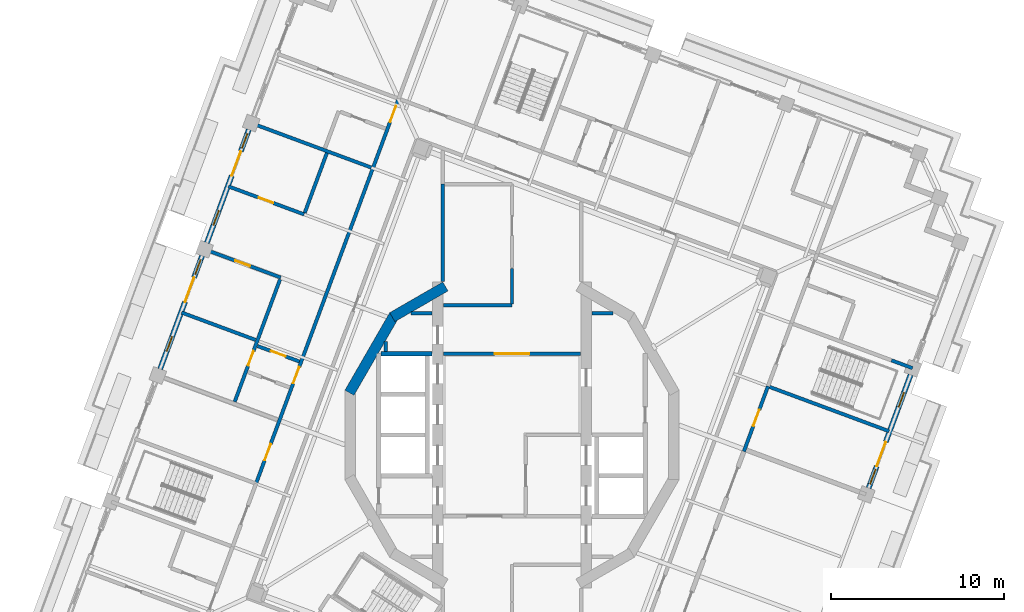
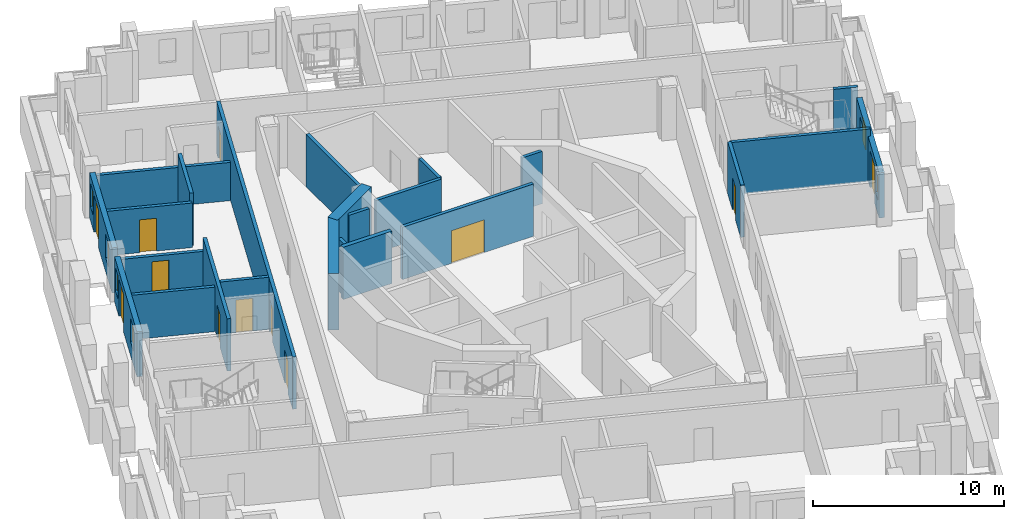
# One storey, part 7 of 19: 24 walls, 12 doors, 6 windows, 18 openings.
"""IFC4 building model written with IfcOpenShell, lengths in metres."""

from ifc_helpers import new_model, si_unit, direction, frame, frame_2d, origin, place, context, subcontext, project, spatial, rectangle, extrude, material, layer, layer_set, type_object, element, fill, save


model = new_model("IFC4")

# Units and contexts
model_context = context("Model", 3, precision=1e-05, world=origin(), true_north=direction((0.0, 1.0)))
body_context = subcontext(model_context, "Body", "Model", "MODEL_VIEW")
ifc_project = project(units=[si_unit("LENGTHUNIT", "METRE"), si_unit("AREAUNIT", "SQUARE_METRE"), si_unit("VOLUMEUNIT", "CUBIC_METRE"), si_unit("PLANEANGLEUNIT", "RADIAN"), si_unit("MASSUNIT", "GRAM", prefix="KILO")], contexts=[model_context])

# Site, building, storey
site_placement = place(None, origin())
site = spatial("IfcSite", under=ifc_project, at=site_placement, CompositionType="ELEMENT")
building_placement = place(site_placement, origin())
building = spatial("IfcBuilding", under=site, at=building_placement, Name="Cantera Rosa Tower", CompositionType="ELEMENT")
storey_placement = place(building_placement, frame((0.0, 0.0, 327.699951171875)))
storey = spatial("IfcBuildingStorey", under=building, at=storey_placement, Name="L73", CompositionType="ELEMENT", Elevation=327.699951171875)

# Wall, openings, doors
ifc_material_1 = material(Name="Gypsum board partition")
ifc_layer_1 = layer(ifc_material_1, 0.199951171875)
ifc_layer_set_1 = layer_set([ifc_layer_1], Name="CORRIDOR WALL 200 H3350")
wall_type_1 = type_object("IfcWallType", Name="CORRIDOR WALL 200 H3350", PredefinedType="PARTITIONING", material=ifc_layer_set_1)
wall_1_placement = place(storey_placement, frame((-6.5537109375, 19.438720703125, 0.0), z_axis=(0.0, 0.0, 1.0), x_axis=(-0.347483565428, -0.937686073138, 0.0)))
wall_1 = element("IfcWall", 1, at=wall_1_placement, inside=storey, type_object=wall_type_1, Name="CORRIDOR WALL L73-036", PredefinedType="PARTITIONING", context=body_context, shape_type="SweptSolid", body=[
    extrude(rectangle(XDim=23.730224609375, YDim=0.199951171875, at=frame_2d((11.865234375, 0.0))), origin(), (0.0, 0.0, 1.0), 3.35009765625),
])
opening_1_placement = place(wall_1_placement, frame((16.5400390625, 0.0, 0.0)))
opening_1 = element("IfcOpeningElement", 2, at=opening_1_placement, cuts=wall_1, Name="Opening L73-028", PredefinedType="OPENING", context=body_context, shape_type="SweptSolid", body=[
    extrude(rectangle(XDim=1.0, YDim=2.10009765625, at=frame_2d((0.5, 1.050048828125))), frame((0.0, 0.10986328125, 0.0), z_axis=(0.0, -1.0, 0.0), x_axis=(1.0, 0.0, 0.0)), (0.0, 0.0, 1.0), 0.219970703125),
])
opening_2_placement = place(wall_1_placement, frame((21.284912109375, 0.0, 0.0)))
opening_2 = element("IfcOpeningElement", 3, at=opening_2_placement, cuts=wall_1, Name="Opening L73-034", PredefinedType="OPENING", context=body_context, shape_type="SweptSolid", body=[
    extrude(rectangle(XDim=1.0, YDim=2.10009765625, at=frame_2d((0.5, 1.050048828125))), frame((0.0, 0.10986328125, 0.0), z_axis=(0.0, -1.0, 0.0), x_axis=(1.0, 0.0, 0.0)), (0.0, 0.0, 1.0), 0.219970703125),
])
opening_3_placement = place(wall_1_placement, frame((0.43994140625, 0.0, 0.0)))
opening_3 = element("IfcOpeningElement", 4, at=opening_3_placement, cuts=wall_1, Name="Opening L73-035", PredefinedType="OPENING", context=body_context, shape_type="SweptSolid", body=[
    extrude(rectangle(XDim=1.0, YDim=2.10009765625, at=frame_2d((0.5, 1.050048828125))), frame((0.0, 0.10986328125, 0.0), z_axis=(0.0, -1.0, 0.0), x_axis=(1.0, 0.0, 0.0)), (0.0, 0.0, 1.0), 0.219970703125),
])
ifc_material_2 = material(Name="Timber door leaf", Category="wood")
door_type_1 = type_object("IfcDoorType", Name="ENTRANCE DOOR 1000x2100", OperationType="NOTDEFINED", PredefinedType="DOOR", material=ifc_material_2)
door_1_placement = place(opening_1_placement, origin())
door_1 = element("IfcDoor", 5, at=door_1_placement, inside=storey, type_object=door_type_1, Name="DOOR L73-028", OperationType="NOTDEFINED", OverallHeight=2.10009765625, OverallWidth=1.0, PredefinedType="DOOR", context=body_context, shape_type="SweptSolid", body=[
    extrude(rectangle(XDim=1.0, YDim=2.10009765625, at=frame_2d((0.5, 1.050048828125))), frame((0.0, 0.02490234375, 0.0), z_axis=(0.0, -1.0, 0.0), x_axis=(1.0, 0.0, 0.0)), (0.0, 0.0, 1.0), 0.050048828125),
])
fill(opening_1, door_1)
door_2_placement = place(opening_3_placement, origin())
door_2 = element("IfcDoor", 6, at=door_2_placement, inside=storey, type_object=door_type_1, Name="DOOR L73-035", OperationType="NOTDEFINED", OverallHeight=2.10009765625, OverallWidth=1.0, PredefinedType="DOOR", context=body_context, shape_type="SweptSolid", body=[
    extrude(rectangle(XDim=1.0, YDim=2.10009765625, at=frame_2d((0.5, 1.050048828125))), frame((0.0, 0.02490234375, 0.0), z_axis=(0.0, -1.0, 0.0), x_axis=(1.0, 0.0, 0.0)), (0.0, 0.0, 1.0), 0.050048828125),
])
fill(opening_3, door_2)
ifc_material_3 = material(Name="Timber door leaf", Category="wood")
door_type_2 = type_object("IfcDoorType", Name="ROOM DOOR 1000x2100", OperationType="NOTDEFINED", PredefinedType="DOOR", material=ifc_material_3)
door_3_placement = place(opening_2_placement, origin())
door_3 = element("IfcDoor", 7, at=door_3_placement, inside=storey, type_object=door_type_2, Name="DOOR L73-034", OperationType="NOTDEFINED", OverallHeight=2.10009765625, OverallWidth=1.0, PredefinedType="DOOR", context=body_context, shape_type="SweptSolid", body=[
    extrude(rectangle(XDim=1.0, YDim=2.10009765625, at=frame_2d((0.5, 1.050048828125))), frame((0.0, 0.02490234375, 0.0), z_axis=(0.0, -1.0, 0.0), x_axis=(1.0, 0.0, 0.0)), (0.0, 0.0, 1.0), 0.050048828125),
])
fill(opening_2, door_3)

# Wall, opening, door
wall_2_placement = place(storey_placement, frame((-3.969970703125, 4.699951171875, 0.0), z_axis=(0.0, 0.0, 1.0), x_axis=(1.0, 0.0, 0.0)))
wall_2 = element("IfcWall", 8, at=wall_2_placement, inside=storey, type_object=wall_type_1, Name="CORRIDOR WALL L73-055", PredefinedType="PARTITIONING", context=body_context, shape_type="SweptSolid", body=[
    extrude(rectangle(XDim=7.93994140625, YDim=0.199951171875, at=frame_2d((3.969970703125, 0.0))), origin(), (0.0, 0.0, 1.0), 3.35009765625),
])
opening_4_placement = place(wall_2_placement, frame((2.969970703125, 0.0, 0.0)))
opening_4 = element("IfcOpeningElement", 9, at=opening_4_placement, cuts=wall_2, Name="Opening L73-010", PredefinedType="OPENING", context=body_context, shape_type="SweptSolid", body=[
    extrude(rectangle(XDim=2.0, YDim=2.10009765625, at=frame_2d((1.0, 1.050048828125))), frame((0.0, 0.10986328125, 0.0), z_axis=(0.0, -1.0, 0.0), x_axis=(1.0, 0.0, 0.0)), (0.0, 0.0, 1.0), 0.219970703125),
])
ifc_material_4 = material(Name="Steel S355J2 (EN 10025-2)", Category="steel")
door_type_3 = type_object("IfcDoorType", Name="LOBBY SCREEN DOOR 2000x2100", OperationType="NOTDEFINED", PredefinedType="DOOR", material=ifc_material_4)
door_4_placement = place(opening_4_placement, origin())
door_4 = element("IfcDoor", 10, at=door_4_placement, inside=storey, type_object=door_type_3, Name="DOOR L73-010", OperationType="NOTDEFINED", OverallHeight=2.10009765625, OverallWidth=2.0, PredefinedType="DOOR", context=body_context, shape_type="SweptSolid", body=[
    extrude(rectangle(XDim=2.0, YDim=2.10009765625, at=frame_2d((1.0, 1.050048828125))), frame((0.0, 0.02490234375, 0.0), z_axis=(0.0, -1.0, 0.0), x_axis=(1.0, 0.0, 0.0)), (0.0, 0.0, 1.0), 0.050048828125),
])
fill(opening_4, door_4)

# Walls
wall_3_placement = place(storey_placement, frame((-3.969970703125, 7.5, 0.0), z_axis=(0.0, 0.0, 1.0), x_axis=(1.0, 0.0, 0.0)))
element("IfcWall", 11, at=wall_3_placement, inside=storey, type_object=wall_type_1, Name="CORRIDOR WALL L73-056", PredefinedType="PARTITIONING", context=body_context, shape_type="SweptSolid", body=[
    extrude(rectangle(XDim=3.969970703125, YDim=0.199951171875, at=frame_2d((1.98486328125, 0.0))), origin(), (0.0, 0.0, 1.0), 3.35009765625),
])
wall_4_placement = place(storey_placement, frame((0.0, 7.580078125, 0.0), z_axis=(0.0, 0.0, 1.0), x_axis=(0.0, 1.0, 0.0)))
element("IfcWall", 12, at=wall_4_placement, inside=storey, type_object=wall_type_1, Name="CORRIDOR WALL L73-065", PredefinedType="PARTITIONING", context=body_context, shape_type="SweptSolid", body=[
    extrude(rectangle(XDim=2.04931640625, YDim=0.199951171875, at=frame_2d((1.024658203125, 0.0))), origin(), (0.0, 0.0, 1.0), 3.35009765625),
])

# Wall, opening, door
wall_5_placement = place(storey_placement, frame((13.404296875, -0.9521484375, 0.0), z_axis=(0.0, 0.0, 1.0), x_axis=(0.347502485966, 0.937679061432, 0.0)))
wall_5 = element("IfcWall", 13, at=wall_5_placement, inside=storey, type_object=wall_type_1, Name="CORRIDOR WALL L73-091", PredefinedType="PARTITIONING", context=body_context, shape_type="SweptSolid", body=[
    extrude(rectangle(XDim=4.01513671875, YDim=0.199951171875, at=frame_2d((2.007568359375, 0.0))), origin(), (0.0, 0.0, 1.0), 3.35009765625),
])
opening_5_placement = place(wall_5_placement, frame((1.570068359375, 0.0, 0.0)))
opening_5 = element("IfcOpeningElement", 14, at=opening_5_placement, cuts=wall_5, Name="Opening L73-045", PredefinedType="OPENING", context=body_context, shape_type="SweptSolid", body=[
    extrude(rectangle(XDim=1.0, YDim=2.10009765625, at=frame_2d((0.5, 1.050048828125))), frame((0.0, 0.10986328125, 0.0), z_axis=(0.0, -1.0, 0.0), x_axis=(1.0, 0.0, 0.0)), (0.0, 0.0, 1.0), 0.219970703125),
])
door_5_placement = place(opening_5_placement, origin())
door_5 = element("IfcDoor", 15, at=door_5_placement, inside=storey, type_object=door_type_2, Name="DOOR L73-045", OperationType="NOTDEFINED", OverallHeight=2.10009765625, OverallWidth=1.0, PredefinedType="DOOR", context=body_context, shape_type="SweptSolid", body=[
    extrude(rectangle(XDim=1.0, YDim=2.10009765625, at=frame_2d((0.5, 1.050048828125))), frame((0.0, 0.02490234375, 0.0), z_axis=(0.0, -1.0, 0.0), x_axis=(1.0, 0.0, 0.0)), (0.0, 0.0, 1.0), 0.050048828125),
])
fill(opening_5, door_5)

# Wall, openings, windows, door
ifc_material_5 = material(Name="Hollow clay masonry with cantera stone cladding", Category="masonry")
ifc_layer_2 = layer(ifc_material_5, 0.300048828125)
ifc_layer_set_2 = layer_set([ifc_layer_2], Name="EW-LOGGIA 300 H2890")
wall_type_2 = type_object("IfcWallType", Name="EW-LOGGIA 300 H2890", PredefinedType="SOLIDWALL", material=ifc_layer_set_2)
wall_6_placement = place(storey_placement, frame((-15.212646484375, 17.65625, 0.0), z_axis=(0.0, 0.0, 1.0), x_axis=(-0.347502316452, -0.937679124253, 0.0)))
wall_6 = element("IfcWall", 16, at=wall_6_placement, inside=storey, type_object=wall_type_2, Name="EN-L73-W08", PredefinedType="SOLIDWALL", context=body_context, shape_type="SweptSolid", body=[
    extrude(rectangle(XDim=6.97998046875, YDim=0.300048828125, at=frame_2d((3.489990234375, 0.0))), origin(), (0.0, 0.0, 1.0), 2.89013671875),
])
opening_6_placement = place(wall_6_placement, frame((0.2451171875, 0.0, 0.89990234375)))
opening_6 = element("IfcOpeningElement", 17, at=opening_6_placement, cuts=wall_6, Name="Opening L73-W16", PredefinedType="OPENING", context=body_context, shape_type="SweptSolid", body=[
    extrude(rectangle(XDim=0.89990234375, YDim=1.5, at=frame_2d((0.449951171875, 0.75))), frame((0.0, 0.159912109375, 0.0), z_axis=(0.0, -1.0, 0.0), x_axis=(1.0, 0.0, 0.0)), (0.0, 0.0, 1.0), 0.320068359375),
])
opening_7_placement = place(wall_6_placement, frame((1.344970703125, 0.0, 0.0)))
opening_7 = element("IfcOpeningElement", 18, at=opening_7_placement, cuts=wall_6, Name="Opening L73-TD17", PredefinedType="OPENING", context=body_context, shape_type="SweptSolid", body=[
    extrude(rectangle(XDim=1.5, YDim=2.39990234375, at=frame_2d((0.75, 1.199951171875))), frame((0.0, 0.159912109375, 0.0), z_axis=(0.0, -1.0, 0.0), x_axis=(1.0, 0.0, 0.0)), (0.0, 0.0, 1.0), 0.320068359375),
])
opening_8_placement = place(wall_6_placement, frame((4.985107421875, 0.0, 0.89990234375)))
opening_8 = element("IfcOpeningElement", 19, at=opening_8_placement, cuts=wall_6, Name="Opening L73-W18", PredefinedType="OPENING", context=body_context, shape_type="SweptSolid", body=[
    extrude(rectangle(XDim=0.89990234375, YDim=1.5, at=frame_2d((0.449951171875, 0.75))), frame((0.0, 0.159912109375, 0.0), z_axis=(0.0, -1.0, 0.0), x_axis=(1.0, 0.0, 0.0)), (0.0, 0.0, 1.0), 0.320068359375),
])
ifc_material_6 = material(Name="Aluminium frame with clear glass", Category="aluminium")
window_type = type_object("IfcWindowType", Name="Residential window 900x1500", PartitioningType="SINGLE_PANEL", PredefinedType="WINDOW", material=ifc_material_6)
window_1_placement = place(opening_6_placement, origin())
window_1 = element("IfcWindow", 20, at=window_1_placement, inside=storey, type_object=window_type, Name="WINDOW L73-W16", OverallHeight=1.5, OverallWidth=0.89990234375, PartitioningType="SINGLE_PANEL", PredefinedType="WINDOW", context=body_context, shape_type="SweptSolid", body=[
    extrude(rectangle(XDim=0.89990234375, YDim=1.5, at=frame_2d((0.449951171875, 0.75))), frame((0.0, 0.030029296875, 0.0), z_axis=(0.0, -1.0, 0.0), x_axis=(1.0, 0.0, 0.0)), (0.0, 0.0, 1.0), 0.06005859375),
])
fill(opening_6, window_1)
window_2_placement = place(opening_8_placement, origin())
window_2 = element("IfcWindow", 21, at=window_2_placement, inside=storey, type_object=window_type, Name="WINDOW L73-W18", OverallHeight=1.5, OverallWidth=0.89990234375, PartitioningType="SINGLE_PANEL", PredefinedType="WINDOW", context=body_context, shape_type="SweptSolid", body=[
    extrude(rectangle(XDim=0.89990234375, YDim=1.5, at=frame_2d((0.449951171875, 0.75))), frame((0.0, 0.030029296875, 0.0), z_axis=(0.0, -1.0, 0.0), x_axis=(1.0, 0.0, 0.0)), (0.0, 0.0, 1.0), 0.06005859375),
])
fill(opening_8, window_2)
ifc_material_7 = material(Name="Aluminium frame with clear glass", Category="aluminium")
door_type_4 = type_object("IfcDoorType", Name="TD-R 1500x2400", OperationType="NOTDEFINED", PredefinedType="DOOR", material=ifc_material_7)
door_6_placement = place(opening_7_placement, origin())
door_6 = element("IfcDoor", 22, at=door_6_placement, inside=storey, type_object=door_type_4, Name="LOGGIA DOOR L73-TD17", OperationType="SLIDING_TO_LEFT", OverallHeight=2.39990234375, OverallWidth=1.5, PredefinedType="DOOR", context=body_context, shape_type="SweptSolid", body=[
    extrude(rectangle(XDim=1.5, YDim=2.39990234375, at=frame_2d((0.75, 1.199951171875))), frame((0.0, 0.02490234375, 0.0), z_axis=(0.0, -1.0, 0.0), x_axis=(1.0, 0.0, 0.0)), (0.0, 0.0, 1.0), 0.050048828125),
])
fill(opening_7, door_6)

wall_7_placement = place(storey_placement, frame((-17.916015625, 10.361083984375, 0.0), z_axis=(0.0, 0.0, 1.0), x_axis=(-0.347502316452, -0.937679124253, 0.0)))
wall_7 = element("IfcWall", 23, at=wall_7_placement, inside=storey, type_object=wall_type_2, Name="EN-L73-W09", PredefinedType="SOLIDWALL", context=body_context, shape_type="SweptSolid", body=[
    extrude(rectangle(XDim=6.97998046875, YDim=0.300048828125, at=frame_2d((3.489990234375, 0.0))), origin(), (0.0, 0.0, 1.0), 2.89013671875),
])
opening_9_placement = place(wall_7_placement, frame((0.2451171875, 0.0, 0.89990234375)))
opening_9 = element("IfcOpeningElement", 24, at=opening_9_placement, cuts=wall_7, Name="Opening L73-W19", PredefinedType="OPENING", context=body_context, shape_type="SweptSolid", body=[
    extrude(rectangle(XDim=0.89990234375, YDim=1.5, at=frame_2d((0.449951171875, 0.75))), frame((0.0, 0.159912109375, 0.0), z_axis=(0.0, -1.0, 0.0), x_axis=(1.0, 0.0, 0.0)), (0.0, 0.0, 1.0), 0.320068359375),
])
opening_10_placement = place(wall_7_placement, frame((1.344970703125, 0.0, 0.0)))
opening_10 = element("IfcOpeningElement", 25, at=opening_10_placement, cuts=wall_7, Name="Opening L73-TD20", PredefinedType="OPENING", context=body_context, shape_type="SweptSolid", body=[
    extrude(rectangle(XDim=1.5, YDim=2.39990234375, at=frame_2d((0.75, 1.199951171875))), frame((0.0, 0.159912109375, 0.0), z_axis=(0.0, -1.0, 0.0), x_axis=(1.0, 0.0, 0.0)), (0.0, 0.0, 1.0), 0.320068359375),
])
opening_11_placement = place(wall_7_placement, frame((4.985107421875, 0.0, 0.89990234375)))
opening_11 = element("IfcOpeningElement", 26, at=opening_11_placement, cuts=wall_7, Name="Opening L73-W21", PredefinedType="OPENING", context=body_context, shape_type="SweptSolid", body=[
    extrude(rectangle(XDim=0.89990234375, YDim=1.5, at=frame_2d((0.449951171875, 0.75))), frame((0.0, 0.159912109375, 0.0), z_axis=(0.0, -1.0, 0.0), x_axis=(1.0, 0.0, 0.0)), (0.0, 0.0, 1.0), 0.320068359375),
])
window_3_placement = place(opening_9_placement, origin())
window_3 = element("IfcWindow", 27, at=window_3_placement, inside=storey, type_object=window_type, Name="WINDOW L73-W19", OverallHeight=1.5, OverallWidth=0.89990234375, PartitioningType="SINGLE_PANEL", PredefinedType="WINDOW", context=body_context, shape_type="SweptSolid", body=[
    extrude(rectangle(XDim=0.89990234375, YDim=1.5, at=frame_2d((0.449951171875, 0.75))), frame((0.0, 0.030029296875, 0.0), z_axis=(0.0, -1.0, 0.0), x_axis=(1.0, 0.0, 0.0)), (0.0, 0.0, 1.0), 0.06005859375),
])
fill(opening_9, window_3)
window_4_placement = place(opening_11_placement, origin())
window_4 = element("IfcWindow", 28, at=window_4_placement, inside=storey, type_object=window_type, Name="WINDOW L73-W21", OverallHeight=1.5, OverallWidth=0.89990234375, PartitioningType="SINGLE_PANEL", PredefinedType="WINDOW", context=body_context, shape_type="SweptSolid", body=[
    extrude(rectangle(XDim=0.89990234375, YDim=1.5, at=frame_2d((0.449951171875, 0.75))), frame((0.0, 0.030029296875, 0.0), z_axis=(0.0, -1.0, 0.0), x_axis=(1.0, 0.0, 0.0)), (0.0, 0.0, 1.0), 0.06005859375),
])
fill(opening_11, window_4)
door_7_placement = place(opening_10_placement, origin())
door_7 = element("IfcDoor", 29, at=door_7_placement, inside=storey, type_object=door_type_4, Name="LOGGIA DOOR L73-TD20", OperationType="SLIDING_TO_LEFT", OverallHeight=2.39990234375, OverallWidth=1.5, PredefinedType="DOOR", context=body_context, shape_type="SweptSolid", body=[
    extrude(rectangle(XDim=1.5, YDim=2.39990234375, at=frame_2d((0.75, 1.199951171875))), frame((0.0, 0.02490234375, 0.0), z_axis=(0.0, -1.0, 0.0), x_axis=(1.0, 0.0, 0.0)), (0.0, 0.0, 1.0), 0.050048828125),
])
fill(opening_10, door_7)

wall_8_placement = place(storey_placement, frame((20.61962890625, -3.06591796875, 0.0), z_axis=(0.0, 0.0, 1.0), x_axis=(0.347471562124, 0.937690521182, 0.0)))
wall_8 = element("IfcWall", 30, at=wall_8_placement, inside=storey, type_object=wall_type_2, Name="EN-L73-W23", PredefinedType="SOLIDWALL", context=body_context, shape_type="SweptSolid", body=[
    extrude(rectangle(XDim=6.979736328125, YDim=0.300048828125, at=frame_2d((3.48974609375, 0.0))), origin(), (0.0, 0.0, 1.0), 2.89013671875),
])
opening_12_placement = place(wall_8_placement, frame((0.2451171875, 0.0, 0.89990234375)))
opening_12 = element("IfcOpeningElement", 31, at=opening_12_placement, cuts=wall_8, Name="Opening L73-W43", PredefinedType="OPENING", context=body_context, shape_type="SweptSolid", body=[
    extrude(rectangle(XDim=0.89990234375, YDim=1.5, at=frame_2d((0.449951171875, 0.75))), frame((0.0, 0.159912109375, 0.0), z_axis=(0.0, -1.0, 0.0), x_axis=(1.0, 0.0, 0.0)), (0.0, 0.0, 1.0), 0.320068359375),
])
opening_13_placement = place(wall_8_placement, frame((1.344970703125, 0.0, 0.0)))
opening_13 = element("IfcOpeningElement", 32, at=opening_13_placement, cuts=wall_8, Name="Opening L73-TD44", PredefinedType="OPENING", context=body_context, shape_type="SweptSolid", body=[
    extrude(rectangle(XDim=1.5, YDim=2.39990234375, at=frame_2d((0.75, 1.199951171875))), frame((0.0, 0.159912109375, 0.0), z_axis=(0.0, -1.0, 0.0), x_axis=(1.0, 0.0, 0.0)), (0.0, 0.0, 1.0), 0.320068359375),
])
opening_14_placement = place(wall_8_placement, frame((4.985107421875, 0.0, 0.89990234375)))
opening_14 = element("IfcOpeningElement", 33, at=opening_14_placement, cuts=wall_8, Name="Opening L73-W45", PredefinedType="OPENING", context=body_context, shape_type="SweptSolid", body=[
    extrude(rectangle(XDim=0.89990234375, YDim=1.5, at=frame_2d((0.449951171875, 0.75))), frame((0.0, 0.159912109375, 0.0), z_axis=(0.0, -1.0, 0.0), x_axis=(1.0, 0.0, 0.0)), (0.0, 0.0, 1.0), 0.320068359375),
])
window_5_placement = place(opening_12_placement, origin())
window_5 = element("IfcWindow", 34, at=window_5_placement, inside=storey, type_object=window_type, Name="WINDOW L73-W43", OverallHeight=1.5, OverallWidth=0.89990234375, PartitioningType="SINGLE_PANEL", PredefinedType="WINDOW", context=body_context, shape_type="SweptSolid", body=[
    extrude(rectangle(XDim=0.89990234375, YDim=1.5, at=frame_2d((0.449951171875, 0.75))), frame((0.0, 0.030029296875, 0.0), z_axis=(0.0, -1.0, 0.0), x_axis=(1.0, 0.0, 0.0)), (0.0, 0.0, 1.0), 0.06005859375),
])
fill(opening_12, window_5)
window_6_placement = place(opening_14_placement, origin())
window_6 = element("IfcWindow", 35, at=window_6_placement, inside=storey, type_object=window_type, Name="WINDOW L73-W45", OverallHeight=1.5, OverallWidth=0.89990234375, PartitioningType="SINGLE_PANEL", PredefinedType="WINDOW", context=body_context, shape_type="SweptSolid", body=[
    extrude(rectangle(XDim=0.89990234375, YDim=1.5, at=frame_2d((0.449951171875, 0.75))), frame((0.0, 0.030029296875, 0.0), z_axis=(0.0, -1.0, 0.0), x_axis=(1.0, 0.0, 0.0)), (0.0, 0.0, 1.0), 0.06005859375),
])
fill(opening_14, window_6)
door_8_placement = place(opening_13_placement, origin())
door_8 = element("IfcDoor", 36, at=door_8_placement, inside=storey, type_object=door_type_4, Name="LOGGIA DOOR L73-TD44", OperationType="SLIDING_TO_LEFT", OverallHeight=2.39990234375, OverallWidth=1.5, PredefinedType="DOOR", context=body_context, shape_type="SweptSolid", body=[
    extrude(rectangle(XDim=1.5, YDim=2.39990234375, at=frame_2d((0.75, 1.199951171875))), frame((0.0, 0.02490234375, 0.0), z_axis=(0.0, -1.0, 0.0), x_axis=(1.0, 0.0, 0.0)), (0.0, 0.0, 1.0), 0.050048828125),
])
fill(opening_13, door_8)

# Wall, opening, door
ifc_material_8 = material(Name="Gypsum board partition")
ifc_layer_3 = layer(ifc_material_8, 0.199951171875)
ifc_layer_set_3 = layer_set([ifc_layer_3], Name="PARTITION 200 H2450")
wall_type_3 = type_object("IfcWallType", Name="PARTITION 200 H2450", PredefinedType="PARTITIONING", material=ifc_layer_set_3)
wall_9_placement = place(storey_placement, frame((-17.7490234375, 10.725830078125, 0.0), z_axis=(0.0, 0.0, 1.0), x_axis=(0.937680003703, -0.347499943388, 0.0)))
wall_9 = element("IfcWall", 37, at=wall_9_placement, inside=storey, type_object=wall_type_3, Name="PARTITION L73-005", PredefinedType="PARTITIONING", context=body_context, shape_type="SweptSolid", body=[
    extrude(rectangle(XDim=4.669921875, YDim=0.199951171875, at=frame_2d((2.3349609375, 0.0))), origin(), (0.0, 0.0, 1.0), 2.449951171875),
])
opening_15_placement = place(wall_9_placement, frame((1.8701171875, 0.0, 0.0)))
opening_15 = element("IfcOpeningElement", 38, at=opening_15_placement, cuts=wall_9, Name="Opening L73-032", PredefinedType="OPENING", context=body_context, shape_type="SweptSolid", body=[
    extrude(rectangle(XDim=0.89990234375, YDim=2.10009765625, at=frame_2d((0.449951171875, 1.050048828125))), frame((0.0, 0.10986328125, 0.0), z_axis=(0.0, -1.0, 0.0), x_axis=(1.0, 0.0, 0.0)), (0.0, 0.0, 1.0), 0.219970703125),
])
ifc_material_9 = material(Name="Timber door leaf", Category="wood")
door_type_5 = type_object("IfcDoorType", Name="ROOM DOOR 900x2100", OperationType="NOTDEFINED", PredefinedType="DOOR", material=ifc_material_9)
door_9_placement = place(opening_15_placement, origin())
door_9 = element("IfcDoor", 39, at=door_9_placement, inside=storey, type_object=door_type_5, Name="DOOR L73-032", OperationType="NOTDEFINED", OverallHeight=2.10009765625, OverallWidth=0.89990234375, PredefinedType="DOOR", context=body_context, shape_type="SweptSolid", body=[
    extrude(rectangle(XDim=0.89990234375, YDim=2.10009765625, at=frame_2d((0.449951171875, 1.050048828125))), frame((0.0, 0.02490234375, 0.0), z_axis=(0.0, -1.0, 0.0), x_axis=(1.0, 0.0, 0.0)), (0.0, 0.0, 1.0), 0.050048828125),
])
fill(opening_15, door_9)

# Wall
ifc_material_10 = material(Name="Gypsum board partition")
ifc_layer_4 = layer(ifc_material_10, 0.199951171875)
ifc_layer_set_4 = layer_set([ifc_layer_4], Name="PARTITION 200 H2850")
wall_type_4 = type_object("IfcWallType", Name="PARTITION 200 H2850", PredefinedType="PARTITIONING", material=ifc_layer_set_4)
wall_10_placement = place(storey_placement, frame((-19.1005859375, 7.078125, 0.0), z_axis=(0.0, 0.0, 1.0), x_axis=(0.937700205551, -0.347445426663, 0.0)))
element("IfcWall", 40, at=wall_10_placement, inside=storey, type_object=wall_type_4, Name="PARTITION L73-004", PredefinedType="PARTITIONING", context=body_context, shape_type="SweptSolid", body=[
    extrude(rectangle(XDim=4.5498046875, YDim=0.199951171875, at=frame_2d((2.27490234375, 0.0))), origin(), (0.0, 0.0, 1.0), 2.85009765625),
])

# Wall, opening, door
wall_11_placement = place(storey_placement, frame((-16.397216796875, 14.373291015625, 0.0), z_axis=(0.0, 0.0, 1.0), x_axis=(0.937697037741, -0.347453975961, 0.0)))
wall_11 = element("IfcWall", 41, at=wall_11_placement, inside=storey, type_object=wall_type_4, Name="PARTITION L73-009", PredefinedType="PARTITIONING", context=body_context, shape_type="SweptSolid", body=[
    extrude(rectangle(XDim=4.669921875, YDim=0.199951171875, at=frame_2d((2.3349609375, 0.0))), origin(), (0.0, 0.0, 1.0), 2.85009765625),
])
opening_16_placement = place(wall_11_placement, frame((1.8701171875, 0.0, 0.0)))
opening_16 = element("IfcOpeningElement", 42, at=opening_16_placement, cuts=wall_11, Name="Opening L73-033", PredefinedType="OPENING", context=body_context, shape_type="SweptSolid", body=[
    extrude(rectangle(XDim=0.89990234375, YDim=2.10009765625, at=frame_2d((0.449951171875, 1.050048828125))), frame((0.0, 0.10986328125, 0.0), z_axis=(0.0, -1.0, 0.0), x_axis=(1.0, 0.0, 0.0)), (0.0, 0.0, 1.0), 0.219970703125),
])
door_10_placement = place(opening_16_placement, origin())
door_10 = element("IfcDoor", 43, at=door_10_placement, inside=storey, type_object=door_type_5, Name="DOOR L73-033", OperationType="NOTDEFINED", OverallHeight=2.10009765625, OverallWidth=0.89990234375, PredefinedType="DOOR", context=body_context, shape_type="SweptSolid", body=[
    extrude(rectangle(XDim=0.89990234375, YDim=2.10009765625, at=frame_2d((0.449951171875, 1.050048828125))), frame((0.0, 0.02490234375, 0.0), z_axis=(0.0, -1.0, 0.0), x_axis=(1.0, 0.0, 0.0)), (0.0, 0.0, 1.0), 0.050048828125),
])
fill(opening_16, door_10)

ifc_material_11 = material(Name="Gypsum board partition")
ifc_layer_5 = layer(ifc_material_11, 0.199951171875)
ifc_layer_set_5 = layer_set([ifc_layer_5], Name="PARTITION 200 H3350")
wall_type_5 = type_object("IfcWallType", Name="PARTITION 200 H3350", PredefinedType="PARTITIONING", material=ifc_layer_set_5)
wall_12_placement = place(storey_placement, frame((-14.7099609375, 5.141845703125, 0.0), z_axis=(0.0, 0.0, 1.0), x_axis=(0.937687105286, -0.34748078016, 0.0)))
wall_12 = element("IfcWall", 44, at=wall_12_placement, inside=storey, type_object=wall_type_5, Name="PARTITION L73-015", PredefinedType="PARTITIONING", context=body_context, shape_type="SweptSolid", body=[
    extrude(rectangle(XDim=2.579833984375, YDim=0.199951171875, at=frame_2d((1.2900390625, 0.0))), origin(), (0.0, 0.0, 1.0), 3.35009765625),
])
opening_17_placement = place(wall_12_placement, frame((0.830078125, 0.0, 0.0)))
opening_17 = element("IfcOpeningElement", 45, at=opening_17_placement, cuts=wall_12, Name="Opening L73-030", PredefinedType="OPENING", context=body_context, shape_type="SweptSolid", body=[
    extrude(rectangle(XDim=0.89990234375, YDim=2.10009765625, at=frame_2d((0.449951171875, 1.050048828125))), frame((0.0, 0.10986328125, 0.0), z_axis=(0.0, -1.0, 0.0), x_axis=(1.0, 0.0, 0.0)), (0.0, 0.0, 1.0), 0.219970703125),
])
door_11_placement = place(opening_17_placement, origin())
door_11 = element("IfcDoor", 46, at=door_11_placement, inside=storey, type_object=door_type_5, Name="DOOR L73-030", OperationType="NOTDEFINED", OverallHeight=2.10009765625, OverallWidth=0.89990234375, PredefinedType="DOOR", context=body_context, shape_type="SweptSolid", body=[
    extrude(rectangle(XDim=0.89990234375, YDim=2.10009765625, at=frame_2d((0.449951171875, 1.050048828125))), frame((0.0, 0.02490234375, 0.0), z_axis=(0.0, -1.0, 0.0), x_axis=(1.0, 0.0, 0.0)), (0.0, 0.0, 1.0), 0.050048828125),
])
fill(opening_17, door_11)

wall_13_placement = place(storey_placement, frame((-13.41162109375, 8.990478515625, 0.0), z_axis=(0.0, 0.0, 1.0), x_axis=(-0.347497846583, -0.937680780767, 0.0)))
wall_13 = element("IfcWall", 47, at=wall_13_placement, inside=storey, type_object=wall_type_5, Name="PARTITION L73-020", PredefinedType="PARTITIONING", context=body_context, shape_type="SweptSolid", body=[
    extrude(rectangle(XDim=7.5400390625, YDim=0.199951171875, at=frame_2d((3.77001953125, 0.0))), origin(), (0.0, 0.0, 1.0), 3.35009765625),
])
opening_18_placement = place(wall_13_placement, frame((4.409912109375, 0.0, 0.0)))
opening_18 = element("IfcOpeningElement", 48, at=opening_18_placement, cuts=wall_13, Name="Opening L73-031", PredefinedType="OPENING", context=body_context, shape_type="SweptSolid", body=[
    extrude(rectangle(XDim=0.89990234375, YDim=2.10009765625, at=frame_2d((0.449951171875, 1.050048828125))), frame((0.0, 0.10986328125, 0.0), z_axis=(0.0, -1.0, 0.0), x_axis=(1.0, 0.0, 0.0)), (0.0, 0.0, 1.0), 0.219970703125),
])
door_12_placement = place(opening_18_placement, origin())
door_12 = element("IfcDoor", 49, at=door_12_placement, inside=storey, type_object=door_type_5, Name="DOOR L73-031", OperationType="NOTDEFINED", OverallHeight=2.10009765625, OverallWidth=0.89990234375, PredefinedType="DOOR", context=body_context, shape_type="SweptSolid", body=[
    extrude(rectangle(XDim=0.89990234375, YDim=2.10009765625, at=frame_2d((0.449951171875, 1.050048828125))), frame((0.0, 0.02490234375, 0.0), z_axis=(0.0, -1.0, 0.0), x_axis=(1.0, 0.0, 0.0)), (0.0, 0.0, 1.0), 0.050048828125),
])
fill(opening_18, door_12)

# Walls
wall_14_placement = place(storey_placement, frame((-11.9833984375, 12.844482421875, 0.0), z_axis=(0.0, 0.0, 1.0), x_axis=(0.347437186781, 0.937703258628, 0.0)))
element("IfcWall", 50, at=wall_14_placement, inside=storey, type_object=wall_type_5, Name="PARTITION L73-021", PredefinedType="PARTITIONING", context=body_context, shape_type="SweptSolid", body=[
    extrude(rectangle(XDim=3.68994140625, YDim=0.199951171875, at=frame_2d((1.844970703125, 0.0))), origin(), (0.0, 0.0, 1.0), 3.35009765625),
])
wall_15_placement = place(storey_placement, frame((-7.300048828125, 4.824951171875, 0.0), z_axis=(0.0, 0.0, 1.0), x_axis=(0.0, 1.0, 0.0)))
element("IfcWall", 51, at=wall_15_placement, inside=storey, type_object=wall_type_5, Name="PARTITION L73-035", PredefinedType="PARTITIONING", context=body_context, shape_type="SweptSolid", body=[
    extrude(rectangle(XDim=0.589599609375, YDim=0.199951171875, at=frame_2d((0.294921875, 0.0))), origin(), (0.0, 0.0, 1.0), 3.35009765625),
])
wall_16_placement = place(storey_placement, frame((-5.84765625, 7.050048828125, 0.0), z_axis=(0.0, 0.0, 1.0), x_axis=(1.0, 0.0, 0.0)))
element("IfcWall", 52, at=wall_16_placement, inside=storey, type_object=wall_type_5, Name="PARTITION L73-040", PredefinedType="PARTITIONING", context=body_context, shape_type="SweptSolid", body=[
    extrude(rectangle(XDim=1.2177734375, YDim=0.199951171875, at=frame_2d((0.60888671875, 0.0))), origin(), (0.0, 0.0, 1.0), 3.35009765625),
])
wall_17_placement = place(storey_placement, frame((-4.0, 14.5, 0.0), z_axis=(0.0, 0.0, 1.0), x_axis=(0.0, -1.0, 0.0)))
element("IfcWall", 53, at=wall_17_placement, inside=storey, type_object=wall_type_5, Name="PARTITION L73-053", PredefinedType="PARTITIONING", context=body_context, shape_type="SweptSolid", body=[
    extrude(rectangle(XDim=5.62109375, YDim=0.199951171875, at=frame_2d((2.810546875, 0.0))), origin(), (0.0, 0.0, 1.0), 3.35009765625),
])
wall_18_placement = place(storey_placement, frame((4.6298828125, 7.050048828125, 0.0), z_axis=(0.0, 0.0, 1.0), x_axis=(1.0, 0.0, 0.0)))
element("IfcWall", 54, at=wall_18_placement, inside=storey, type_object=wall_type_5, Name="PARTITION L73-082", PredefinedType="PARTITIONING", context=body_context, shape_type="SweptSolid", body=[
    extrude(rectangle(XDim=1.2177734375, YDim=0.199951171875, at=frame_2d((0.60888671875, 0.0))), origin(), (0.0, 0.0, 1.0), 3.35009765625),
])
ifc_material_12 = material(Name="Gypsum board partition")
ifc_layer_6 = layer(ifc_material_12, 0.199951171875)
ifc_layer_set_6 = layer_set([ifc_layer_6], Name="PARTY WALL 200 H2450")
wall_type_6 = type_object("IfcWallType", Name="PARTY WALL 200 H2450", PredefinedType="PARTITIONING", material=ifc_layer_set_6)
wall_19_placement = place(storey_placement, frame((-15.045654296875, 18.02099609375, 0.0), z_axis=(0.0, 0.0, 1.0), x_axis=(0.937695604411, -0.347457844161, 0.0)))
element("IfcWall", 55, at=wall_19_placement, inside=storey, type_object=wall_type_6, Name="PARTY WALL L73-014", PredefinedType="PARTITIONING", context=body_context, shape_type="SweptSolid", body=[
    extrude(rectangle(XDim=7.3701171875, YDim=0.199951171875, at=frame_2d((3.68505859375, 0.0))), origin(), (0.0, 0.0, 1.0), 2.449951171875),
])
ifc_material_13 = material(Name="Concrete C50/60", Category="concrete")
ifc_layer_7 = layer(ifc_material_13, 0.60009765625)
ifc_layer_set_7 = layer_set([ifc_layer_7], Name="RC CORE WALL 600 C50/60")
wall_type_7 = type_object("IfcWallType", Name="RC CORE WALL 600 C50/60", PredefinedType="SHEAR", material=ifc_layer_set_7)
wall_20_placement = place(storey_placement, frame((-9.3994140625, 2.438232421875, 0.0), z_axis=(0.0, 0.0, 1.0), x_axis=(0.499989188378, 0.866031645787, 0.0)))
element("IfcWall", 56, at=wall_20_placement, inside=storey, type_object=wall_type_7, Name="CW-W4 L73", PredefinedType="SHEAR", context=body_context, shape_type="SweptSolid", body=[
    extrude(rectangle(XDim=5.17626953125, YDim=0.60009765625, at=frame_2d((2.588134765625, 0.0))), origin(), (0.0, 0.0, 1.0), 3.60009765625),
])
wall_21_placement = place(storey_placement, frame((-6.921142578125, 6.811279296875, 0.0), z_axis=(0.0, 0.0, 1.0), x_axis=(0.866039982607, 0.499974747889, 0.0)))
element("IfcWall", 57, at=wall_21_placement, inside=storey, type_object=wall_type_7, Name="CW-W5 L73", PredefinedType="SHEAR", context=body_context, shape_type="SweptSolid", body=[
    extrude(rectangle(XDim=3.546142578125, YDim=0.60009765625, at=frame_2d((1.77294921875, 0.0))), origin(), (0.0, 0.0, 1.0), 3.60009765625),
])
ifc_material_14 = material(Name="Masonry blockwork", Category="masonry")
ifc_layer_8 = layer(ifc_material_14, 0.25)
ifc_layer_set_8 = layer_set([ifc_layer_8], Name="SHAFT WALL 250 H3350")
wall_type_8 = type_object("IfcWallType", Name="SHAFT WALL 250 H3350", PredefinedType="SOLIDWALL", material=ifc_layer_set_8)
wall_22_placement = place(storey_placement, frame((-7.580078125, 4.699951171875, 0.0), z_axis=(0.0, 0.0, 1.0), x_axis=(1.0, 0.0, 0.0)))
element("IfcWall", 58, at=wall_22_placement, inside=storey, type_object=wall_type_8, Name="SHAFT WALL L73-034", PredefinedType="SOLIDWALL", context=body_context, shape_type="SweptSolid", body=[
    extrude(rectangle(XDim=2.9501953125, YDim=0.25, at=frame_2d((1.47509765625, 0.0))), origin(), (0.0, 0.0, 1.0), 3.35009765625),
])
ifc_material_15 = material(Name="Concrete C50/60", Category="concrete")
ifc_layer_9 = layer(ifc_material_15, 0.199951171875)
ifc_layer_set_9 = layer_set([ifc_layer_9], Name="STAIR WALL 200 H3350")
wall_type_9 = type_object("IfcWallType", Name="STAIR WALL 200 H3350", PredefinedType="SOLIDWALL", material=ifc_layer_set_9)
wall_23_placement = place(storey_placement, frame((14.799560546875, 2.812744140625, 0.0), z_axis=(0.0, 0.0, 1.0), x_axis=(0.93768803379, -0.347478274555, 0.0)))
element("IfcWall", 59, at=wall_23_placement, inside=storey, type_object=wall_type_9, Name="STAIR WALL L73-103", PredefinedType="SOLIDWALL", context=body_context, shape_type="SweptSolid", body=[
    extrude(rectangle(XDim=7.47021484375, YDim=0.199951171875, at=frame_2d((3.735107421875, 0.0))), origin(), (0.0, 0.0, 1.0), 3.35009765625),
])
wall_24_placement = place(storey_placement, frame((23.15576171875, 3.864501953125, 0.0), z_axis=(0.0, 0.0, 1.0), x_axis=(-0.937642248704, 0.347601802994, 0.0)))
element("IfcWall", 60, at=wall_24_placement, inside=storey, type_object=wall_type_9, Name="STAIR WALL L73-114", PredefinedType="SOLIDWALL", context=body_context, shape_type="SweptSolid", body=[
    extrude(rectangle(XDim=1.300048828125, YDim=0.199951171875, at=frame_2d((0.64990234375, 0.0))), origin(), (0.0, 0.0, 1.0), 3.35009765625),
])

save(model, "model.ifc")
